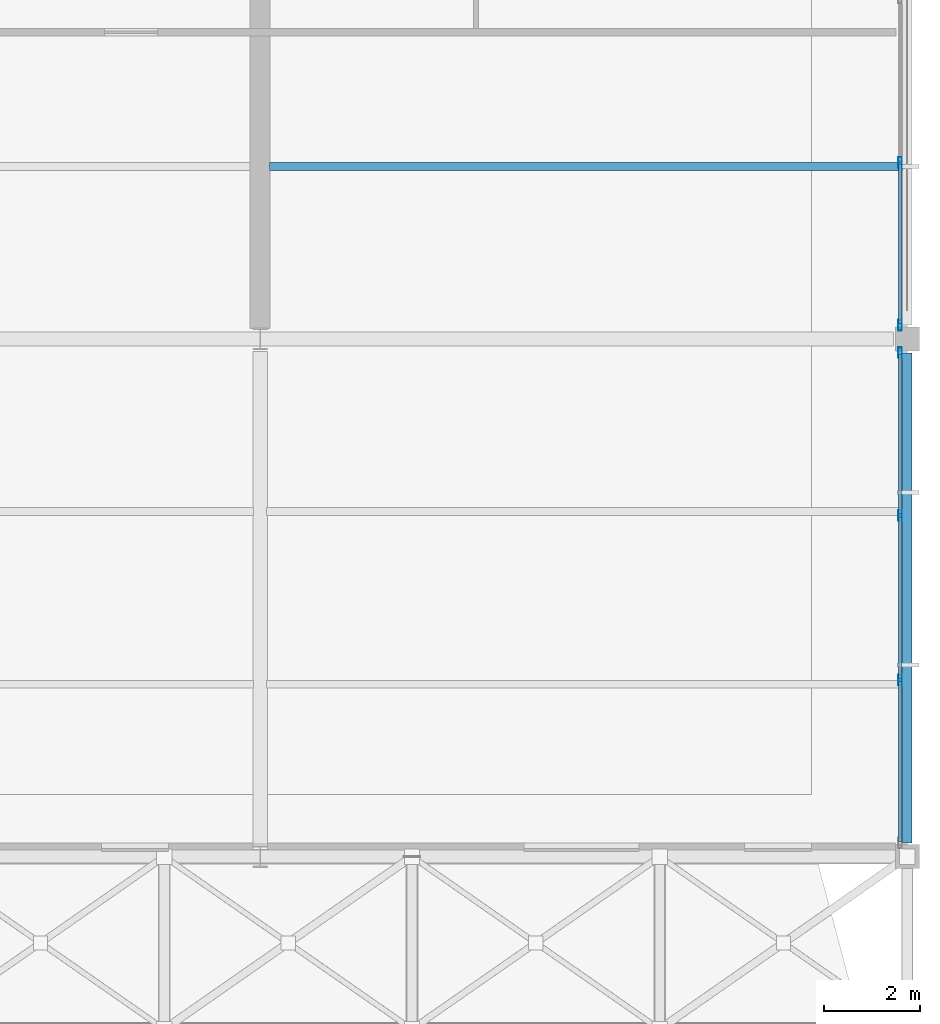
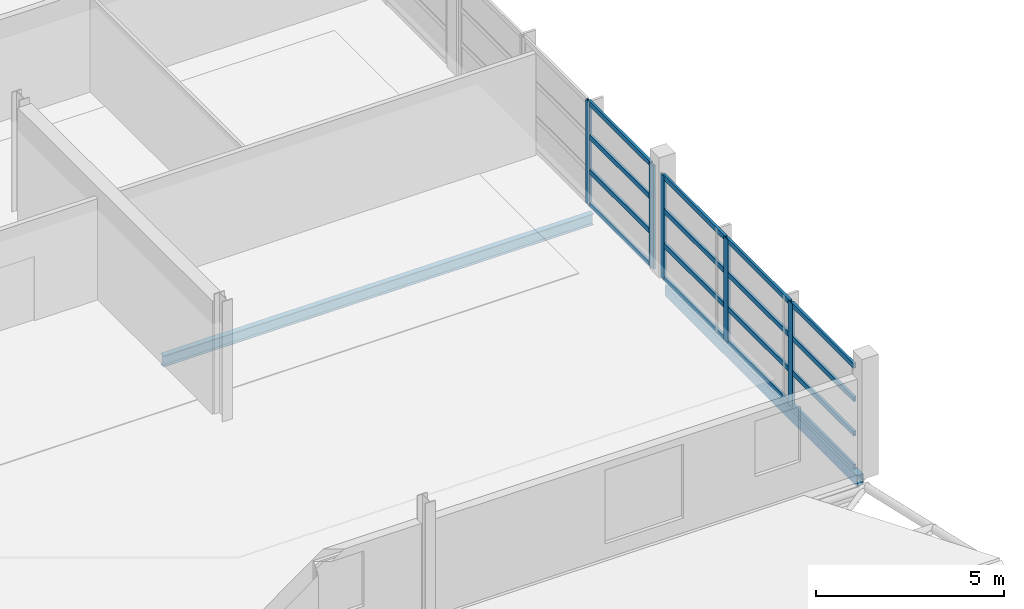
# One storey, part 51 of 110: 21 members, 2 beams, 2 elements without a shape of their own.
"""IFC4 building model written with IfcOpenShell, lengths in metres."""

from ifc_helpers import new_model, si_unit, direction, frame, origin, origin_2d, place, context, subcontext, project, spatial, hollow_rectangle, i_section, extrude, material, layer, layer_set, material_profile, profile_set, type_object, element, aggregate, save


model = new_model("IFC4")

# Units and contexts
model_context = context("Model", 3, precision=1e-05, world=origin(), true_north=direction((0.0, 1.0)))
body_context = subcontext(model_context, "Body", "Model", "MODEL_VIEW")
ifc_project = project(units=[si_unit("LENGTHUNIT", "METRE"), si_unit("AREAUNIT", "SQUARE_METRE"), si_unit("VOLUMEUNIT", "CUBIC_METRE"), si_unit("PLANEANGLEUNIT", "RADIAN"), si_unit("MASSUNIT", "GRAM", prefix="KILO")], contexts=[model_context])

# Site, building, storey
site_placement = place(None, origin())
site = spatial("IfcSite", under=ifc_project, at=site_placement, CompositionType="ELEMENT")
building_placement = place(site_placement, origin())
building = spatial("IfcBuilding", under=site, at=building_placement, Name="Tamarisk Ironworks Central Station", CompositionType="ELEMENT")
storey_placement = place(building_placement, frame((0.0, 0.0, 17.39990234375)))
storey = spatial("IfcBuildingStorey", under=building, at=storey_placement, Name="L03", CompositionType="ELEMENT", Elevation=17.39990234375)

# Beams
ifc_material_1 = material(Name="Structural steel S355J2", Category="steel")
ifc_material_profile_1 = material_profile(ifc_material_1, i_section(OverallWidth=0.169921875, OverallDepth=0.360107421875, WebThickness=0.008056640625, FlangeThickness=0.0126953125, at=origin_2d()), Name="IPE 360")
ifc_profile_set_1 = profile_set([ifc_material_profile_1], Name="Structural steel S355J2")
beam_type_1 = type_object("IfcBeamType", Name="BM-B05", PredefinedType="BEAM", material=ifc_profile_set_1)
beam_1_placement = place(storey_placement, frame((166.699951171875, 93.60009765625, -0.429931640625), z_axis=(1.0, 0.0, 0.0), x_axis=(0.0, 1.0, 0.0)))
element("IfcBeam", 1, at=beam_1_placement, inside=storey, type_object=beam_type_1, Name="L03 secondary composite beam 0214", PredefinedType="BEAM", context=body_context, shape_type="SweptSolid", body=[
    extrude(i_section(OverallWidth=0.169921875, OverallDepth=0.360107421875, WebThickness=0.008056640625, FlangeThickness=0.0126953125, at=origin_2d()), origin(), (0.0, 0.0, 1.0), 13.215087890625),
])
ifc_material_profile_2 = material_profile(ifc_material_1, hollow_rectangle(XDim=0.199951171875, YDim=0.35009765625, WallThickness=0.012451171875, at=origin_2d()), Name="RHS 350x200x12.5")
ifc_profile_set_2 = profile_set([ifc_material_profile_2], Name="Structural steel S355J2")
beam_type_2 = type_object("IfcBeamType", Name="BM-SP01", PredefinedType="SPANDREL", material=ifc_profile_set_2)
beam_2_placement = place(storey_placement, frame((180.0, 79.488037109375, -0.4248046875), z_axis=(0.0, 1.0, 0.0), x_axis=(-1.0, 0.0, 0.0)))
element("IfcBeam", 2, at=beam_2_placement, inside=storey, type_object=beam_type_2, Name="L03 primary girder Y-0702", PredefinedType="SPANDREL", context=body_context, shape_type="SweptSolid", body=[
    extrude(hollow_rectangle(XDim=0.199951171875, YDim=0.35009765625, WallThickness=0.012451171875, at=origin_2d()), origin(), (0.0, 0.0, 1.0), 10.223876953125),
])

# Curtain wall, members
ifc_material_2 = material(Name="Anodized aluminium alloy 6063-T6", Category="aluminium")
ifc_layer = layer(ifc_material_2, 0.179931640625)
ifc_layer_set = layer_set([ifc_layer], Name="Anodized aluminium alloy 6063-T6")
curtain_wall_type = type_object("IfcCurtainWallType", Name="CW-21", PredefinedType="USERDEFINED", material=ifc_layer_set)
curtain_wall_1_placement = place(storey_placement, origin())
curtain_wall_1 = element("IfcCurtainWall", 3, at=curtain_wall_1_placement, inside=storey, type_object=curtain_wall_type, Name="Operations L03 east facade curtain wall 079", ObjectType="GLAZED CURTAIN WALL", PredefinedType="USERDEFINED")
ifc_material_profile_3 = material_profile(ifc_material_2, hollow_rectangle(XDim=0.074951171875, YDim=0.219970703125, WallThickness=0.00390625, at=origin_2d()), Name="ALUM 220x75")
ifc_profile_set_3 = profile_set([ifc_material_profile_3], Name="Anodized aluminium alloy 6063-T6")
member_type_1 = type_object("IfcMemberType", Name="CWM-01", PredefinedType="MULLION", material=ifc_profile_set_3)
member_1_placement = place(storey_placement, frame((179.85009765625, 82.882568359375, 0.0), z_axis=(0.0, 0.0, 1.0), x_axis=(-1.0, 0.0, 0.0)))
member_1 = element("IfcMember", 4, at=member_1_placement, type_object=member_type_1, Name="CW21 mullion 2", PredefinedType="MULLION", context=body_context, shape_type="SweptSolid", body=[
    extrude(hollow_rectangle(XDim=0.074951171875, YDim=0.219970703125, WallThickness=0.00390625, at=origin_2d()), origin(), (0.0, 0.0, 1.0), 3.360107421875),
])
member_2_placement = place(storey_placement, frame((179.85009765625, 86.3173828125, 0.0), z_axis=(0.0, 0.0, 1.0), x_axis=(-1.0, 0.0, 0.0)))
member_2 = element("IfcMember", 5, at=member_2_placement, type_object=member_type_1, Name="CW21 mullion 3", PredefinedType="MULLION", context=body_context, shape_type="SweptSolid", body=[
    extrude(hollow_rectangle(XDim=0.074951171875, YDim=0.219970703125, WallThickness=0.00390625, at=origin_2d()), origin(), (0.0, 0.0, 1.0), 3.360107421875),
])
member_3_placement = place(storey_placement, frame((179.85009765625, 89.714599609375, 0.0), z_axis=(0.0, 0.0, 1.0), x_axis=(-1.0, 0.0, 0.0)))
member_3 = element("IfcMember", 6, at=member_3_placement, type_object=member_type_1, Name="CW21 mullion 4", PredefinedType="MULLION", context=body_context, shape_type="SweptSolid", body=[
    extrude(hollow_rectangle(XDim=0.074951171875, YDim=0.219970703125, WallThickness=0.00390625, at=origin_2d()), origin(), (0.0, 0.0, 1.0), 3.360107421875),
])

curtain_wall_2_placement = place(storey_placement, origin())
curtain_wall_2 = element("IfcCurtainWall", 7, at=curtain_wall_2_placement, inside=storey, type_object=curtain_wall_type, Name="Operations L03 east facade curtain wall 090", ObjectType="GLAZED CURTAIN WALL", PredefinedType="USERDEFINED")
member_4_placement = place(storey_placement, frame((179.85009765625, 90.285400390625, 0.0), z_axis=(0.0, 0.0, 1.0), x_axis=(-1.0, 0.0, 0.0)))
member_4 = element("IfcMember", 8, at=member_4_placement, type_object=member_type_1, Name="CW21 mullion 1", PredefinedType="MULLION", context=body_context, shape_type="SweptSolid", body=[
    extrude(hollow_rectangle(XDim=0.074951171875, YDim=0.219970703125, WallThickness=0.00390625, at=origin_2d()), origin(), (0.0, 0.0, 1.0), 3.360107421875),
])
member_5_placement = place(storey_placement, frame((179.85009765625, 93.6826171875, 0.0), z_axis=(0.0, 0.0, 1.0), x_axis=(-1.0, 0.0, 0.0)))
member_5 = element("IfcMember", 9, at=member_5_placement, type_object=member_type_1, Name="CW21 mullion 2", PredefinedType="MULLION", context=body_context, shape_type="SweptSolid", body=[
    extrude(hollow_rectangle(XDim=0.074951171875, YDim=0.219970703125, WallThickness=0.00390625, at=origin_2d()), origin(), (0.0, 0.0, 1.0), 3.360107421875),
])

# Member
ifc_material_profile_4 = material_profile(ifc_material_2, hollow_rectangle(XDim=0.074951171875, YDim=0.159912109375, WallThickness=0.00390625, at=origin_2d()), Name="ALUM 160x75")
ifc_profile_set_4 = profile_set([ifc_material_profile_4], Name="Anodized aluminium alloy 6063-T6")
member_type_2 = type_object("IfcMemberType", Name="CWT-01", PredefinedType="USERDEFINED", material=ifc_profile_set_4)
member_6_placement = place(storey_placement, frame((179.85009765625, 79.51904296875, 0.03759765625), z_axis=(0.0, 1.0, 0.0), x_axis=(-1.0, 0.0, 0.0)))
member_6 = element("IfcMember", 10, at=member_6_placement, type_object=member_type_2, Name="CW21 transom 1.1", ObjectType="TRANSOM", PredefinedType="USERDEFINED", context=body_context, shape_type="SweptSolid", body=[
    extrude(hollow_rectangle(XDim=0.074951171875, YDim=0.159912109375, WallThickness=0.00390625, at=origin_2d()), origin(), (0.0, 0.0, 1.0), 3.330078125),
])

member_7_placement = place(storey_placement, frame((179.85009765625, 79.51904296875, 1.1201171875), z_axis=(0.0, 1.0, 0.0), x_axis=(-1.0, 0.0, 0.0)))
member_7 = element("IfcMember", 11, at=member_7_placement, type_object=member_type_2, Name="CW21 transom 1.2", ObjectType="TRANSOM", PredefinedType="USERDEFINED", context=body_context, shape_type="SweptSolid", body=[
    extrude(hollow_rectangle(XDim=0.074951171875, YDim=0.159912109375, WallThickness=0.00390625, at=origin_2d()), origin(), (0.0, 0.0, 1.0), 3.330078125),
])

member_8_placement = place(storey_placement, frame((179.85009765625, 79.51904296875, 2.239990234375), z_axis=(0.0, 1.0, 0.0), x_axis=(-1.0, 0.0, 0.0)))
member_8 = element("IfcMember", 12, at=member_8_placement, type_object=member_type_2, Name="CW21 transom 1.3", ObjectType="TRANSOM", PredefinedType="USERDEFINED", context=body_context, shape_type="SweptSolid", body=[
    extrude(hollow_rectangle(XDim=0.074951171875, YDim=0.159912109375, WallThickness=0.00390625, at=origin_2d()), origin(), (0.0, 0.0, 1.0), 3.330078125),
])

member_9_placement = place(storey_placement, frame((179.85009765625, 79.51904296875, 3.322509765625), z_axis=(0.0, 1.0, 0.0), x_axis=(-1.0, 0.0, 0.0)))
member_9 = element("IfcMember", 13, at=member_9_placement, type_object=member_type_2, Name="CW21 transom 1.4", ObjectType="TRANSOM", PredefinedType="USERDEFINED", context=body_context, shape_type="SweptSolid", body=[
    extrude(hollow_rectangle(XDim=0.074951171875, YDim=0.159912109375, WallThickness=0.00390625, at=origin_2d()), origin(), (0.0, 0.0, 1.0), 3.330078125),
])

member_10_placement = place(storey_placement, frame((179.85009765625, 82.916259765625, 0.03759765625), z_axis=(0.0, 1.0, 0.0), x_axis=(-1.0, 0.0, 0.0)))
member_10 = element("IfcMember", 14, at=member_10_placement, type_object=member_type_2, Name="CW21 transom 2.1", ObjectType="TRANSOM", PredefinedType="USERDEFINED", context=body_context, shape_type="SweptSolid", body=[
    extrude(hollow_rectangle(XDim=0.074951171875, YDim=0.159912109375, WallThickness=0.00390625, at=origin_2d()), origin(), (0.0, 0.0, 1.0), 3.36767578125),
])

member_11_placement = place(storey_placement, frame((179.85009765625, 82.916259765625, 1.1201171875), z_axis=(0.0, 1.0, 0.0), x_axis=(-1.0, 0.0, 0.0)))
member_11 = element("IfcMember", 15, at=member_11_placement, type_object=member_type_2, Name="CW21 transom 2.2", ObjectType="TRANSOM", PredefinedType="USERDEFINED", context=body_context, shape_type="SweptSolid", body=[
    extrude(hollow_rectangle(XDim=0.074951171875, YDim=0.159912109375, WallThickness=0.00390625, at=origin_2d()), origin(), (0.0, 0.0, 1.0), 3.36767578125),
])

member_12_placement = place(storey_placement, frame((179.85009765625, 82.916259765625, 2.239990234375), z_axis=(0.0, 1.0, 0.0), x_axis=(-1.0, 0.0, 0.0)))
member_12 = element("IfcMember", 16, at=member_12_placement, type_object=member_type_2, Name="CW21 transom 2.3", ObjectType="TRANSOM", PredefinedType="USERDEFINED", context=body_context, shape_type="SweptSolid", body=[
    extrude(hollow_rectangle(XDim=0.074951171875, YDim=0.159912109375, WallThickness=0.00390625, at=origin_2d()), origin(), (0.0, 0.0, 1.0), 3.36767578125),
])

member_13_placement = place(storey_placement, frame((179.85009765625, 82.916259765625, 3.322509765625), z_axis=(0.0, 1.0, 0.0), x_axis=(-1.0, 0.0, 0.0)))
member_13 = element("IfcMember", 17, at=member_13_placement, type_object=member_type_2, Name="CW21 transom 2.4", ObjectType="TRANSOM", PredefinedType="USERDEFINED", context=body_context, shape_type="SweptSolid", body=[
    extrude(hollow_rectangle(XDim=0.074951171875, YDim=0.159912109375, WallThickness=0.00390625, at=origin_2d()), origin(), (0.0, 0.0, 1.0), 3.36767578125),
])

member_14_placement = place(storey_placement, frame((179.85009765625, 86.350830078125, 0.03759765625), z_axis=(0.0, 1.0, 0.0), x_axis=(-1.0, 0.0, 0.0)))
member_14 = element("IfcMember", 18, at=member_14_placement, type_object=member_type_2, Name="CW21 transom 3.1", ObjectType="TRANSOM", PredefinedType="USERDEFINED", context=body_context, shape_type="SweptSolid", body=[
    extrude(hollow_rectangle(XDim=0.074951171875, YDim=0.159912109375, WallThickness=0.00390625, at=origin_2d()), origin(), (0.0, 0.0, 1.0), 3.330078125),
])

member_15_placement = place(storey_placement, frame((179.85009765625, 86.350830078125, 1.1201171875), z_axis=(0.0, 1.0, 0.0), x_axis=(-1.0, 0.0, 0.0)))
member_15 = element("IfcMember", 19, at=member_15_placement, type_object=member_type_2, Name="CW21 transom 3.2", ObjectType="TRANSOM", PredefinedType="USERDEFINED", context=body_context, shape_type="SweptSolid", body=[
    extrude(hollow_rectangle(XDim=0.074951171875, YDim=0.159912109375, WallThickness=0.00390625, at=origin_2d()), origin(), (0.0, 0.0, 1.0), 3.330078125),
])

member_16_placement = place(storey_placement, frame((179.85009765625, 86.350830078125, 2.239990234375), z_axis=(0.0, 1.0, 0.0), x_axis=(-1.0, 0.0, 0.0)))
member_16 = element("IfcMember", 20, at=member_16_placement, type_object=member_type_2, Name="CW21 transom 3.3", ObjectType="TRANSOM", PredefinedType="USERDEFINED", context=body_context, shape_type="SweptSolid", body=[
    extrude(hollow_rectangle(XDim=0.074951171875, YDim=0.159912109375, WallThickness=0.00390625, at=origin_2d()), origin(), (0.0, 0.0, 1.0), 3.330078125),
])

member_17_placement = place(storey_placement, frame((179.85009765625, 86.350830078125, 3.322509765625), z_axis=(0.0, 1.0, 0.0), x_axis=(-1.0, 0.0, 0.0)))
member_17 = element("IfcMember", 21, at=member_17_placement, type_object=member_type_2, Name="CW21 transom 3.4", ObjectType="TRANSOM", PredefinedType="USERDEFINED", context=body_context, shape_type="SweptSolid", body=[
    extrude(hollow_rectangle(XDim=0.074951171875, YDim=0.159912109375, WallThickness=0.00390625, at=origin_2d()), origin(), (0.0, 0.0, 1.0), 3.330078125),
])

aggregate(curtain_wall_1, [member_1, member_2, member_3, member_6, member_7, member_8, member_9, member_10, member_11, member_12, member_13, member_14, member_15, member_16, member_17])

member_18_placement = place(storey_placement, frame((179.85009765625, 90.319091796875, 0.03759765625), z_axis=(0.0, 1.0, 0.0), x_axis=(-1.0, 0.0, 0.0)))
member_18 = element("IfcMember", 22, at=member_18_placement, type_object=member_type_2, Name="CW21 transom 1.1", ObjectType="TRANSOM", PredefinedType="USERDEFINED", context=body_context, shape_type="SweptSolid", body=[
    extrude(hollow_rectangle(XDim=0.074951171875, YDim=0.159912109375, WallThickness=0.00390625, at=origin_2d()), origin(), (0.0, 0.0, 1.0), 3.330078125),
])

member_19_placement = place(storey_placement, frame((179.85009765625, 90.319091796875, 1.1201171875), z_axis=(0.0, 1.0, 0.0), x_axis=(-1.0, 0.0, 0.0)))
member_19 = element("IfcMember", 23, at=member_19_placement, type_object=member_type_2, Name="CW21 transom 1.2", ObjectType="TRANSOM", PredefinedType="USERDEFINED", context=body_context, shape_type="SweptSolid", body=[
    extrude(hollow_rectangle(XDim=0.074951171875, YDim=0.159912109375, WallThickness=0.00390625, at=origin_2d()), origin(), (0.0, 0.0, 1.0), 3.330078125),
])

member_20_placement = place(storey_placement, frame((179.85009765625, 90.319091796875, 2.239990234375), z_axis=(0.0, 1.0, 0.0), x_axis=(-1.0, 0.0, 0.0)))
member_20 = element("IfcMember", 24, at=member_20_placement, type_object=member_type_2, Name="CW21 transom 1.3", ObjectType="TRANSOM", PredefinedType="USERDEFINED", context=body_context, shape_type="SweptSolid", body=[
    extrude(hollow_rectangle(XDim=0.074951171875, YDim=0.159912109375, WallThickness=0.00390625, at=origin_2d()), origin(), (0.0, 0.0, 1.0), 3.330078125),
])

member_21_placement = place(storey_placement, frame((179.85009765625, 90.319091796875, 3.322509765625), z_axis=(0.0, 1.0, 0.0), x_axis=(-1.0, 0.0, 0.0)))
member_21 = element("IfcMember", 25, at=member_21_placement, type_object=member_type_2, Name="CW21 transom 1.4", ObjectType="TRANSOM", PredefinedType="USERDEFINED", context=body_context, shape_type="SweptSolid", body=[
    extrude(hollow_rectangle(XDim=0.074951171875, YDim=0.159912109375, WallThickness=0.00390625, at=origin_2d()), origin(), (0.0, 0.0, 1.0), 3.330078125),
])

aggregate(curtain_wall_2, [member_4, member_5, member_18, member_19, member_20, member_21])

save(model, "model.ifc")
